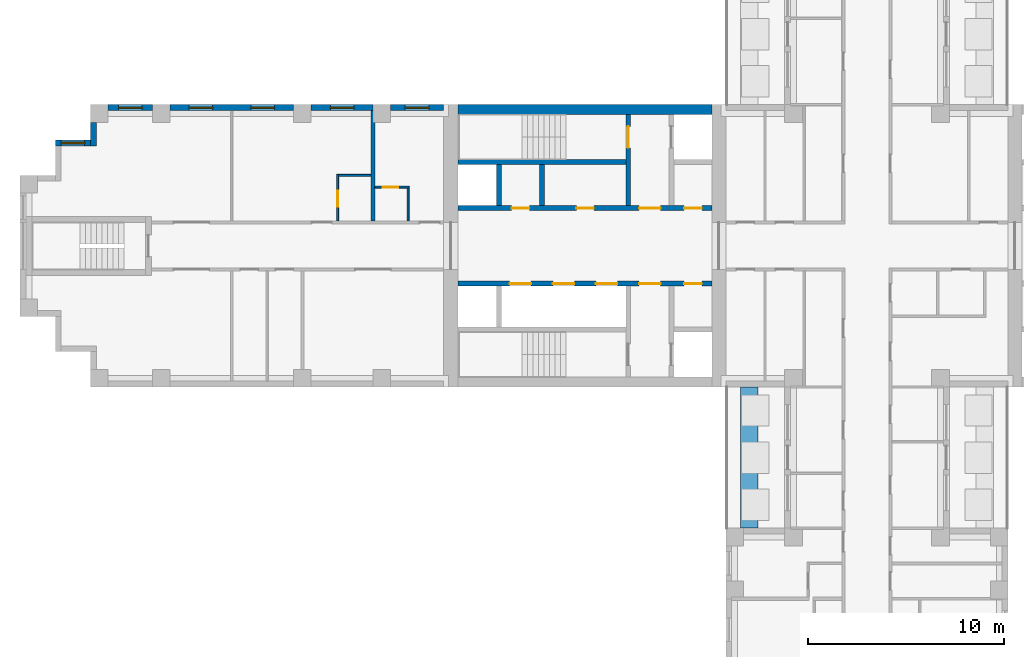
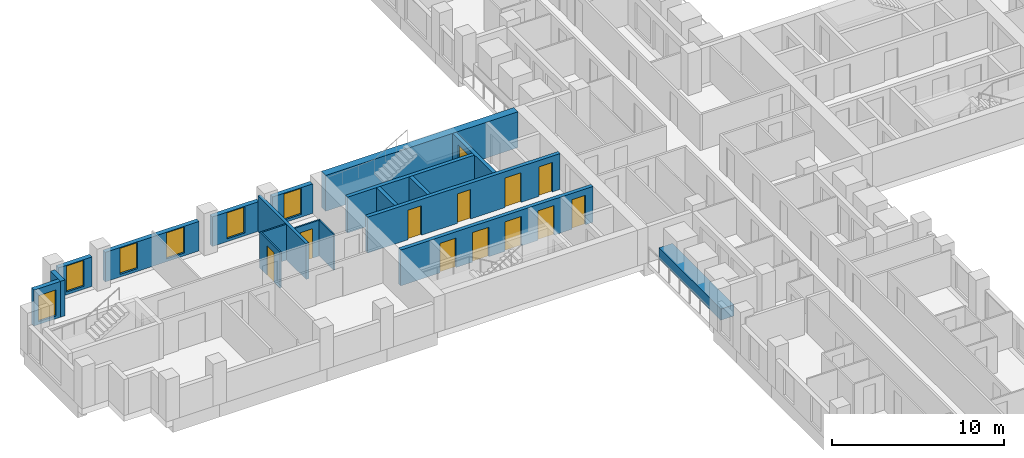
# One storey, part 6 of 15: 19 walls, 12 doors, 6 windows, 18 openings.
"""IFC4 building model written with IfcOpenShell, lengths in metres."""

import ifcopenshell
import ifcopenshell.guid

model = None  # the IFC model being written
_history = None  # IfcOwnerHistory: only IFC2X3 demands one
_inside = {}  # id of a spatial element -> (the spatial element, [elements in it])
_under = {}  # id of a project, library or spatial element -> (it, [spatial elements below it])
_declared = {}  # id of a project -> (the project, [libraries it declares])
_typed = {}  # id of a type object -> (the type object, [elements of that type])
_made_of = {}  # id of a material, layer set ... -> (it, [elements and type objects made of it])


def new_model(schema):
    """Start an empty IFC model of exactly this schema.

    Asked for "IFC4X3", IfcOpenShell would pick the latest addendum, in which some entities
    have other attributes; the version numbers below select the first issue.
    IFC2X3 requires an IfcOwnerHistory on every rooted entity: one is made here for all.
    """
    global model, _history
    if schema == "IFC4X3":
        model = ifcopenshell.file(schema_version=(4, 3, 0, 0))
    else:
        model = ifcopenshell.file(schema=schema)
    _inside.clear()
    _under.clear()
    _declared.clear()
    _typed.clear()
    _made_of.clear()
    _history = None
    if model.schema == "IFC2X3":
        org = make("IfcOrganization", Name="unknown")
        user = make(
            "IfcPersonAndOrganization",
            ThePerson=make("IfcPerson", FamilyName="unknown"),
            TheOrganization=org,
        )
        app = make(
            "IfcApplication",
            ApplicationDeveloper=org,
            Version="unknown",
            ApplicationFullName="unknown",
            ApplicationIdentifier="unknown",
        )
        _history = make(
            "IfcOwnerHistory",
            OwningUser=user,
            OwningApplication=app,
            ChangeAction="ADDED",
            CreationDate=0,
        )
    return model


def make(cls, **values):
    """One entity of the class cls with the attributes given. An attribute that is None is left unset."""
    return model.create_entity(
        cls, **{name: value for name, value in values.items() if value is not None}
    )


def rooted(cls, **values):
    """An entity with a GlobalId (a new one), such as an element, a storey or a relation."""
    return make(cls, GlobalId=ifcopenshell.guid.new(), OwnerHistory=_history, **values)


def si_unit(unit_type, name, prefix=None):
    """IfcSIUnit, for example si_unit("LENGTHUNIT", "METRE", prefix="MILLI")."""
    return make("IfcSIUnit", UnitType=unit_type, Prefix=prefix, Name=name)


def assignment(units):
    """IfcUnitAssignment: the units of a project."""
    return None if units is None else make("IfcUnitAssignment", Units=units)


def point(xyz):
    """IfcCartesianPoint."""
    return None if xyz is None else make("IfcCartesianPoint", Coordinates=xyz)


def direction(xyz):
    """IfcDirection."""
    return None if xyz is None else make("IfcDirection", DirectionRatios=xyz)


def frame(location, z_axis=None, x_axis=None):
    """IfcAxis2Placement3D, a coordinate frame: its origin and axes. An axis left out is left unset."""
    return make(
        "IfcAxis2Placement3D",
        Location=point(location),
        Axis=direction(z_axis),
        RefDirection=direction(x_axis),
    )


def frame_2d(location, x_axis=None):
    """IfcAxis2Placement2D, a coordinate frame in the plane: its origin and x axis."""
    return make(
        "IfcAxis2Placement2D", Location=point(location), RefDirection=direction(x_axis)
    )


def origin():
    """The frame at (0, 0, 0) with its axes left unset."""
    return frame((0.0, 0.0, 0.0))


def place(relative_to, where):
    """IfcLocalPlacement: puts the frame where relative to a parent placement (None: the world)."""
    return make(
        "IfcLocalPlacement", PlacementRelTo=relative_to, RelativePlacement=where
    )


def context(
    kind, dimensions, precision=None, world=None, true_north=None, identifier=None
):
    """IfcGeometricRepresentationContext, for example the 3D "Model" context."""
    return make(
        "IfcGeometricRepresentationContext",
        ContextIdentifier=identifier,
        ContextType=kind,
        CoordinateSpaceDimension=dimensions,
        Precision=precision,
        WorldCoordinateSystem=world,
        TrueNorth=true_north,
    )


def subcontext(parent, identifier, kind, view, scale=None):
    """IfcGeometricRepresentationSubContext, for example "Body" below "Model"."""
    return make(
        "IfcGeometricRepresentationSubContext",
        ContextIdentifier=identifier,
        ContextType=kind,
        ParentContext=parent,
        TargetScale=scale,
        TargetView=view,
    )


def project(units=None, contexts=None):
    """IfcProject with its units and contexts."""
    return rooted(
        "IfcProject",
        Name="project",
        RepresentationContexts=contexts,
        UnitsInContext=assignment(units),
    )


def spatial(cls, under=None, at=None, **own):
    """A site, building, storey or space (cls), placed at a placement, below another one or the project."""
    s = rooted(cls, ObjectPlacement=at, **own)
    if under is not None:
        _under.setdefault(under.id(), (under, []))[1].append(s)
    return s


def profile(cls, at=None, kind="AREA", **sizes):
    """A parametric profile (cls). Its sizes go by their IFC names, for example OverallWidth=200.0."""
    return make(cls, ProfileType=kind, Position=at, **sizes)


def rectangle(**sizes):
    """IfcRectangleProfileDef."""
    return profile("IfcRectangleProfileDef", **sizes)


def extrude(swept, where, along, depth):
    """IfcExtrudedAreaSolid: the profile swept, set in the frame where, extruded along a direction by depth."""
    return make(
        "IfcExtrudedAreaSolid",
        SweptArea=swept,
        Position=where,
        ExtrudedDirection=direction(along),
        Depth=depth,
    )


def shape(context_of_items, identifier, shape_type, items):
    """IfcShapeRepresentation: the items that make up one representation, for example the "Body"."""
    return make(
        "IfcShapeRepresentation",
        ContextOfItems=context_of_items,
        RepresentationIdentifier=identifier,
        RepresentationType=shape_type,
        Items=items,
    )


def material(Name=None, Category=None):
    """IfcMaterial."""
    return make("IfcMaterial", Name=Name, Category=Category)


def layer(
    of_material, thickness, ventilated=None, Name=None, Category=None, Priority=None
):
    """IfcMaterialLayer: one layer of a wall or slab, of a material (None: an air gap)."""
    return make(
        "IfcMaterialLayer",
        Material=of_material,
        LayerThickness=thickness,
        IsVentilated=ventilated,
        Name=Name,
        Category=Category,
        Priority=Priority,
    )


def layer_set(layers, Name=None):
    """IfcMaterialLayerSet."""
    return make("IfcMaterialLayerSet", MaterialLayers=layers, LayerSetName=Name)


def made_of(thing, what):
    """Note that an element or type object is made of a material, layer set ...; save() writes the relation."""
    if what is not None:
        _made_of.setdefault(what.id(), (what, []))[1].append(thing)
    return thing


def type_object(cls, material=None, **own):
    """A type object (cls), such as IfcWallType, which elements share."""
    return made_of(rooted(cls, **own), material)


def element(
    cls,
    number,
    at=None,
    inside=None,
    cuts=None,
    type_object=None,
    material=None,
    context=None,
    identifier="Body",
    shape_type=None,
    held_by="IfcProductDefinitionShape",
    body=None,
    shapes=None,
    **own,
):
    """One element of the class cls, such as IfcWall. Its Tag is "e" and its number.

    at: its placement. inside: the storey or other place that contains it. cuts: it is an
    opening in that element (IfcRelVoidsElement). A single representation is given by context,
    identifier, shape_type and body (its items); several are given by shapes. held_by: the class
    of the entity that holds the representations. save() writes the other relations.
    """
    e = rooted(cls, Tag="e%d" % number, ObjectPlacement=at, **own)
    if body is not None:
        shapes = [shape(context, identifier, shape_type, body)]
    if shapes is not None:
        e.Representation = make(held_by, Representations=shapes)
    if inside is not None:
        _inside.setdefault(inside.id(), (inside, []))[1].append(e)
    if cuts is not None:
        rooted(
            "IfcRelVoidsElement", RelatingBuildingElement=cuts, RelatedOpeningElement=e
        )
    if type_object is not None:
        _typed.setdefault(type_object.id(), (type_object, []))[1].append(e)
    return made_of(e, material)


def fill(opening, filler):
    """IfcRelFillsElement: the door or window that sits in an opening."""
    return rooted(
        "IfcRelFillsElement",
        RelatingOpeningElement=opening,
        RelatedBuildingElement=filler,
    )


def aggregate(whole, parts):
    """IfcRelAggregates: a whole, such as a stair, and the parts it consists of."""
    return rooted("IfcRelAggregates", RelatingObject=whole, RelatedObjects=parts)


def save(model, path):
    """Write the relations noted so far, then the file.

    IfcRelAggregates (storeys below a building ...), IfcRelContainedInSpatialStructure (elements
    in a storey), IfcRelDefinesByType, IfcRelAssociatesMaterial and IfcRelDeclares: one each for
    every whole, place, type object, material and project.
    """
    for whole, parts in _under.values():
        aggregate(whole, parts)
    for where, things in _inside.values():
        rooted(
            "IfcRelContainedInSpatialStructure",
            RelatedElements=things,
            RelatingStructure=where,
        )
    for kind, things in _typed.values():
        rooted("IfcRelDefinesByType", RelatedObjects=things, RelatingType=kind)
    for what, things in _made_of.values():
        rooted("IfcRelAssociatesMaterial", RelatedObjects=things, RelatingMaterial=what)
    for by, libraries in _declared.values():
        rooted("IfcRelDeclares", RelatingContext=by, RelatedDefinitions=libraries)
    model.write(path)


model = new_model("IFC4")

# Units and contexts
model_context = context("Model", 3, precision=1e-05, world=origin(), true_north=direction((0.0, 1.0)))
body_context = subcontext(model_context, "Body", "Model", "MODEL_VIEW")
ifc_project = project(units=[si_unit("LENGTHUNIT", "METRE"), si_unit("AREAUNIT", "SQUARE_METRE"), si_unit("VOLUMEUNIT", "CUBIC_METRE"), si_unit("PLANEANGLEUNIT", "RADIAN"), si_unit("MASSUNIT", "GRAM", prefix="KILO")], contexts=[model_context])

# Site, building, storey
site_placement = place(None, origin())
site = spatial("IfcSite", under=ifc_project, at=site_placement, CompositionType="ELEMENT")
building_placement = place(site_placement, origin())
building = spatial("IfcBuilding", under=site, at=building_placement, Name="Fustian Cross Tower", CompositionType="ELEMENT")
storey_placement = place(building_placement, frame((0.0, 0.0, 59.699951171875)))
storey = spatial("IfcBuildingStorey", under=building, at=storey_placement, Name="L18", CompositionType="ELEMENT", Elevation=59.699951171875)

# Wall
ifc_material_1 = material(Name="Concrete C80/95", Category="concrete")
ifc_layer_1 = layer(ifc_material_1, 0.5)
ifc_layer_set_1 = layer_set([ifc_layer_1], Name="Concrete C80/95")
wall_type_1 = type_object("IfcWallType", Name="CORE FACADE WALL 500 C80/95", PredefinedType="SHEAR", material=ifc_layer_set_1)
wall_1_placement = place(storey_placement, frame((-7.89990234375, 6.949951171875, 0.0), z_axis=(0.0, 0.0, 1.0), x_axis=(-1.0, 0.0, 0.0)))
element("IfcWall", 1, at=wall_1_placement, inside=storey, type_object=wall_type_1, Name="Core facade wall", PredefinedType="SHEAR", context=body_context, shape_type="SweptSolid", body=[
    extrude(rectangle(XDim=12.9501953125, YDim=0.5, at=frame_2d((6.47509765625, 0.0))), origin(), (0.0, 0.0, 1.0), 2.550048828125),
])

# Wall, openings, doors
ifc_material_2 = material(Name="Concrete C50/60", Category="concrete")
ifc_layer_2 = layer(ifc_material_2, 0.25)
ifc_layer_set_2 = layer_set([ifc_layer_2], Name="Concrete C50/60")
wall_type_2 = type_object("IfcWallType", Name="CORE LOBBY WALL 250 C50/60", PredefinedType="SHEAR", material=ifc_layer_set_2)
wall_2_placement = place(storey_placement, frame((-7.89990234375, 1.925048828125, 0.0), z_axis=(0.0, 0.0, 1.0), x_axis=(-1.0, 0.0, 0.0)))
wall_2 = element("IfcWall", 2, at=wall_2_placement, inside=storey, type_object=wall_type_2, Name="Core lobby wall", PredefinedType="SHEAR", context=body_context, shape_type="SweptSolid", body=[
    extrude(rectangle(XDim=12.9501953125, YDim=0.25, at=frame_2d((6.47509765625, 0.0))), origin(), (0.0, 0.0, 1.0), 2.550048828125),
])
opening_1_placement = place(wall_2_placement, frame((0.52490234375, 0.0, 0.0)))
opening_1 = element("IfcOpeningElement", 3, at=opening_1_placement, cuts=wall_2, Name="Opening CD-07-23", PredefinedType="OPENING", context=body_context, shape_type="SweptSolid", body=[
    extrude(rectangle(XDim=0.89990234375, YDim=2.10009765625, at=frame_2d((0.449951171875, 1.050048828125))), frame((0.0, 0.135009765625, 0.0), z_axis=(0.0, -1.0, 0.0), x_axis=(1.0, 0.0, 0.0)), (0.0, 0.0, 1.0), 0.27001953125),
])
opening_2_placement = place(wall_2_placement, frame((2.625, 0.0, 0.0)))
opening_2 = element("IfcOpeningElement", 4, at=opening_2_placement, cuts=wall_2, Name="Opening CD-07-25", PredefinedType="OPENING", context=body_context, shape_type="SweptSolid", body=[
    extrude(rectangle(XDim=1.10009765625, YDim=2.10009765625, at=frame_2d((0.550048828125, 1.050048828125))), frame((0.0, 0.135009765625, 0.0), z_axis=(0.0, -1.0, 0.0), x_axis=(1.0, 0.0, 0.0)), (0.0, 0.0, 1.0), 0.27001953125),
])
opening_3_placement = place(wall_2_placement, frame((6.02490234375, 0.0, 0.0)))
opening_3 = element("IfcOpeningElement", 5, at=opening_3_placement, cuts=wall_2, Name="Opening CD-07-29", PredefinedType="OPENING", context=body_context, shape_type="SweptSolid", body=[
    extrude(rectangle(XDim=0.89990234375, YDim=2.10009765625, at=frame_2d((0.449951171875, 1.050048828125))), frame((0.0, 0.135009765625, 0.0), z_axis=(0.0, -1.0, 0.0), x_axis=(1.0, 0.0, 0.0)), (0.0, 0.0, 1.0), 0.27001953125),
])
opening_4_placement = place(wall_2_placement, frame((9.324951171875, 0.0, 0.0)))
opening_4 = element("IfcOpeningElement", 6, at=opening_4_placement, cuts=wall_2, Name="Opening CD-07-30", PredefinedType="OPENING", context=body_context, shape_type="SweptSolid", body=[
    extrude(rectangle(XDim=0.89990234375, YDim=2.10009765625, at=frame_2d((0.449951171875, 1.050048828125))), frame((0.0, 0.135009765625, 0.0), z_axis=(0.0, -1.0, 0.0), x_axis=(1.0, 0.0, 0.0)), (0.0, 0.0, 1.0), 0.27001953125),
])
ifc_material_3 = material(Name="Steel", Category="steel")
door_type_1 = type_object("IfcDoorType", Name="FIRE DOOR FD30S 900X2100", OperationType="SINGLE_SWING_LEFT", PredefinedType="DOOR", material=ifc_material_3)
door_1_placement = place(opening_3_placement, frame((0.89990234375, 0.0, 0.0), z_axis=(0.0, 0.0, 1.0), x_axis=(-1.0, 0.0, 0.0)))
door_1 = element("IfcDoor", 7, at=door_1_placement, inside=storey, type_object=door_type_1, Name="Core door CD-07-29", OperationType="SINGLE_SWING_LEFT", OverallHeight=2.10009765625, OverallWidth=0.89990234375, PredefinedType="DOOR", context=body_context, shape_type="SweptSolid", body=[
    extrude(rectangle(XDim=0.89990234375, YDim=2.10009765625, at=frame_2d((0.449951171875, 1.050048828125))), frame((0.0, 0.02490234375, 0.0), z_axis=(0.0, -1.0, 0.0), x_axis=(1.0, 0.0, 0.0)), (0.0, 0.0, 1.0), 0.050048828125),
])
fill(opening_3, door_1)
door_2_placement = place(opening_4_placement, frame((0.89990234375, 0.0, 0.0), z_axis=(0.0, 0.0, 1.0), x_axis=(-1.0, 0.0, 0.0)))
door_2 = element("IfcDoor", 8, at=door_2_placement, inside=storey, type_object=door_type_1, Name="Core door CD-07-30", OperationType="SINGLE_SWING_RIGHT", OverallHeight=2.10009765625, OverallWidth=0.89990234375, PredefinedType="DOOR", context=body_context, shape_type="SweptSolid", body=[
    extrude(rectangle(XDim=0.89990234375, YDim=2.10009765625, at=frame_2d((0.449951171875, 1.050048828125))), frame((0.0, 0.02490234375, 0.0), z_axis=(0.0, -1.0, 0.0), x_axis=(1.0, 0.0, 0.0)), (0.0, 0.0, 1.0), 0.050048828125),
])
fill(opening_4, door_2)
ifc_material_4 = material(Name="Steel", Category="steel")
door_type_2 = type_object("IfcDoorType", Name="FIRE DOOR FD60S 1100X2100", OperationType="SINGLE_SWING_LEFT", PredefinedType="DOOR", material=ifc_material_4)
door_3_placement = place(opening_2_placement, frame((1.10009765625, 0.0, 0.0), z_axis=(0.0, 0.0, 1.0), x_axis=(-1.0, 0.0, 0.0)))
door_3 = element("IfcDoor", 9, at=door_3_placement, inside=storey, type_object=door_type_2, Name="Core door CD-07-25", OperationType="SINGLE_SWING_RIGHT", OverallHeight=2.10009765625, OverallWidth=1.10009765625, PredefinedType="DOOR", context=body_context, shape_type="SweptSolid", body=[
    extrude(rectangle(XDim=1.10009765625, YDim=2.10009765625, at=frame_2d((0.550048828125, 1.050048828125))), frame((0.0, 0.02490234375, 0.0), z_axis=(0.0, -1.0, 0.0), x_axis=(1.0, 0.0, 0.0)), (0.0, 0.0, 1.0), 0.050048828125),
])
fill(opening_2, door_3)
ifc_material_5 = material(Name="Steel", Category="steel")
door_type_3 = type_object("IfcDoorType", Name="FIRE DOOR FD60S 900X2100", OperationType="SINGLE_SWING_LEFT", PredefinedType="DOOR", material=ifc_material_5)
door_4_placement = place(opening_1_placement, frame((0.89990234375, 0.0, 0.0), z_axis=(0.0, 0.0, 1.0), x_axis=(-1.0, 0.0, 0.0)))
door_4 = element("IfcDoor", 10, at=door_4_placement, inside=storey, type_object=door_type_3, Name="Core door CD-07-23", OperationType="SINGLE_SWING_RIGHT", OverallHeight=2.10009765625, OverallWidth=0.89990234375, PredefinedType="DOOR", context=body_context, shape_type="SweptSolid", body=[
    extrude(rectangle(XDim=0.89990234375, YDim=2.10009765625, at=frame_2d((0.449951171875, 1.050048828125))), frame((0.0, 0.02490234375, 0.0), z_axis=(0.0, -1.0, 0.0), x_axis=(1.0, 0.0, 0.0)), (0.0, 0.0, 1.0), 0.050048828125),
])
fill(opening_1, door_4)

wall_3_placement = place(storey_placement, frame((-7.89990234375, -1.925048828125, 0.0), z_axis=(0.0, 0.0, 1.0), x_axis=(-1.0, 0.0, 0.0)))
wall_3 = element("IfcWall", 11, at=wall_3_placement, inside=storey, type_object=wall_type_2, Name="Core lobby wall", PredefinedType="SHEAR", context=body_context, shape_type="SweptSolid", body=[
    extrude(rectangle(XDim=12.9501953125, YDim=0.25, at=frame_2d((6.47509765625, 0.0))), origin(), (0.0, 0.0, 1.0), 2.550048828125),
])
opening_5_placement = place(wall_3_placement, frame((4.824951171875, 0.0, 0.0)))
opening_5 = element("IfcOpeningElement", 12, at=opening_5_placement, cuts=wall_3, Name="Opening LD", PredefinedType="OPENING", context=body_context, shape_type="SweptSolid", body=[
    extrude(rectangle(XDim=1.10009765625, YDim=2.10009765625, at=frame_2d((0.550048828125, 1.050048828125))), frame((0.0, 0.135009765625, 0.0), z_axis=(0.0, -1.0, 0.0), x_axis=(1.0, 0.0, 0.0)), (0.0, 0.0, 1.0), 0.27001953125),
])
opening_6_placement = place(wall_3_placement, frame((7.02490234375, 0.0, 0.0)))
opening_6 = element("IfcOpeningElement", 13, at=opening_6_placement, cuts=wall_3, Name="Opening LD", PredefinedType="OPENING", context=body_context, shape_type="SweptSolid", body=[
    extrude(rectangle(XDim=1.10009765625, YDim=2.10009765625, at=frame_2d((0.550048828125, 1.050048828125))), frame((0.0, 0.135009765625, 0.0), z_axis=(0.0, -1.0, 0.0), x_axis=(1.0, 0.0, 0.0)), (0.0, 0.0, 1.0), 0.27001953125),
])
opening_7_placement = place(wall_3_placement, frame((9.22509765625, 0.0, 0.0)))
opening_7 = element("IfcOpeningElement", 14, at=opening_7_placement, cuts=wall_3, Name="Opening LD", PredefinedType="OPENING", context=body_context, shape_type="SweptSolid", body=[
    extrude(rectangle(XDim=1.10009765625, YDim=2.10009765625, at=frame_2d((0.550048828125, 1.050048828125))), frame((0.0, 0.135009765625, 0.0), z_axis=(0.0, -1.0, 0.0), x_axis=(1.0, 0.0, 0.0)), (0.0, 0.0, 1.0), 0.27001953125),
])
opening_8_placement = place(wall_3_placement, frame((0.52490234375, 0.0, 0.0)))
opening_8 = element("IfcOpeningElement", 15, at=opening_8_placement, cuts=wall_3, Name="Opening CD-07-24", PredefinedType="OPENING", context=body_context, shape_type="SweptSolid", body=[
    extrude(rectangle(XDim=0.89990234375, YDim=2.10009765625, at=frame_2d((0.449951171875, 1.050048828125))), frame((0.0, 0.135009765625, 0.0), z_axis=(0.0, -1.0, 0.0), x_axis=(1.0, 0.0, 0.0)), (0.0, 0.0, 1.0), 0.27001953125),
])
opening_9_placement = place(wall_3_placement, frame((2.625, 0.0, 0.0)))
opening_9 = element("IfcOpeningElement", 16, at=opening_9_placement, cuts=wall_3, Name="Opening CD-07-26", PredefinedType="OPENING", context=body_context, shape_type="SweptSolid", body=[
    extrude(rectangle(XDim=1.10009765625, YDim=2.10009765625, at=frame_2d((0.550048828125, 1.050048828125))), frame((0.0, 0.135009765625, 0.0), z_axis=(0.0, -1.0, 0.0), x_axis=(1.0, 0.0, 0.0)), (0.0, 0.0, 1.0), 0.27001953125),
])
ifc_material_6 = material(Name="Steel", Category="steel")
door_type_4 = type_object("IfcDoorType", Name="FIRE DOOR FD30S 1100X2100", OperationType="SINGLE_SWING_LEFT", PredefinedType="DOOR", material=ifc_material_6)
door_5_placement = place(opening_9_placement, frame((1.10009765625, 0.0, 0.0), z_axis=(0.0, 0.0, 1.0), x_axis=(-1.0, 0.0, 0.0)))
door_5 = element("IfcDoor", 17, at=door_5_placement, inside=storey, type_object=door_type_4, Name="Core door CD-07-26", OperationType="SINGLE_SWING_RIGHT", OverallHeight=2.10009765625, OverallWidth=1.10009765625, PredefinedType="DOOR", context=body_context, shape_type="SweptSolid", body=[
    extrude(rectangle(XDim=1.10009765625, YDim=2.10009765625, at=frame_2d((0.550048828125, 1.050048828125))), frame((0.0, 0.02490234375, 0.0), z_axis=(0.0, -1.0, 0.0), x_axis=(1.0, 0.0, 0.0)), (0.0, 0.0, 1.0), 0.050048828125),
])
fill(opening_9, door_5)
door_6_placement = place(opening_8_placement, origin())
door_6 = element("IfcDoor", 18, at=door_6_placement, inside=storey, type_object=door_type_1, Name="Core door CD-07-24", OperationType="SINGLE_SWING_LEFT", OverallHeight=2.10009765625, OverallWidth=0.89990234375, PredefinedType="DOOR", context=body_context, shape_type="SweptSolid", body=[
    extrude(rectangle(XDim=0.89990234375, YDim=2.10009765625, at=frame_2d((0.449951171875, 1.050048828125))), frame((0.0, 0.02490234375, 0.0), z_axis=(0.0, -1.0, 0.0), x_axis=(1.0, 0.0, 0.0)), (0.0, 0.0, 1.0), 0.050048828125),
])
fill(opening_8, door_6)
ifc_material_7 = material(Name="Stainless steel", Category="steel")
door_type_5 = type_object("IfcDoorType", Name="LIFT LANDING DOOR 1100X2100", OperationType="SLIDING_TO_LEFT", PredefinedType="DOOR", material=ifc_material_7)
door_7_placement = place(opening_5_placement, origin())
door_7 = element("IfcDoor", 19, at=door_7_placement, inside=storey, type_object=door_type_5, Name="Landing door LR1W", OperationType="SLIDING_TO_LEFT", OverallHeight=2.10009765625, OverallWidth=1.10009765625, PredefinedType="DOOR", context=body_context, shape_type="SweptSolid", body=[
    extrude(rectangle(XDim=1.10009765625, YDim=2.10009765625, at=frame_2d((0.550048828125, 1.050048828125))), frame((0.0, 0.02490234375, 0.0), z_axis=(0.0, -1.0, 0.0), x_axis=(1.0, 0.0, 0.0)), (0.0, 0.0, 1.0), 0.050048828125),
])
fill(opening_5, door_7)
door_8_placement = place(opening_6_placement, origin())
door_8 = element("IfcDoor", 20, at=door_8_placement, inside=storey, type_object=door_type_5, Name="Landing door LR2W", OperationType="SLIDING_TO_LEFT", OverallHeight=2.10009765625, OverallWidth=1.10009765625, PredefinedType="DOOR", context=body_context, shape_type="SweptSolid", body=[
    extrude(rectangle(XDim=1.10009765625, YDim=2.10009765625, at=frame_2d((0.550048828125, 1.050048828125))), frame((0.0, 0.02490234375, 0.0), z_axis=(0.0, -1.0, 0.0), x_axis=(1.0, 0.0, 0.0)), (0.0, 0.0, 1.0), 0.050048828125),
])
fill(opening_6, door_8)
door_9_placement = place(opening_7_placement, origin())
door_9 = element("IfcDoor", 21, at=door_9_placement, inside=storey, type_object=door_type_5, Name="Landing door LR3W", OperationType="SLIDING_TO_LEFT", OverallHeight=2.10009765625, OverallWidth=1.10009765625, PredefinedType="DOOR", context=body_context, shape_type="SweptSolid", body=[
    extrude(rectangle(XDim=1.10009765625, YDim=2.10009765625, at=frame_2d((0.550048828125, 1.050048828125))), frame((0.0, 0.02490234375, 0.0), z_axis=(0.0, -1.0, 0.0), x_axis=(1.0, 0.0, 0.0)), (0.0, 0.0, 1.0), 0.050048828125),
])
fill(opening_7, door_9)

# Wall
ifc_material_8 = material(Name="Concrete C50/60", Category="concrete")
ifc_layer_3 = layer(ifc_material_8, 0.25)
ifc_layer_set_3 = layer_set([ifc_layer_3], Name="Concrete C50/60")
wall_type_3 = type_object("IfcWallType", Name="CORE SHAFT WALL 250 C50/60", PredefinedType="SHEAR", material=ifc_layer_set_3)
wall_4_placement = place(storey_placement, frame((-12.300048828125, 4.27490234375, 0.0), z_axis=(0.0, 0.0, 1.0), x_axis=(-1.0, 0.0, 0.0)))
element("IfcWall", 22, at=wall_4_placement, inside=storey, type_object=wall_type_3, Name="Core shaft wall", PredefinedType="SHEAR", context=body_context, shape_type="SweptSolid", body=[
    extrude(rectangle(XDim=8.550048828125, YDim=0.25, at=frame_2d((4.27490234375, 0.0))), origin(), (0.0, 0.0, 1.0), 2.550048828125),
])

# Wall, opening, door
wall_5_placement = place(storey_placement, frame((-12.175048828125, 2.050048828125, 0.0), z_axis=(0.0, 0.0, 1.0), x_axis=(0.0, 1.0, 0.0)))
wall_5 = element("IfcWall", 23, at=wall_5_placement, inside=storey, type_object=wall_type_3, Name="Core shaft wall", PredefinedType="SHEAR", context=body_context, shape_type="SweptSolid", body=[
    extrude(rectangle(XDim=4.64990234375, YDim=0.25, at=frame_2d((2.324951171875, 0.0))), origin(), (0.0, 0.0, 1.0), 2.550048828125),
])
opening_10_placement = place(wall_5_placement, frame((2.949951171875, 0.0, 0.0)))
opening_10 = element("IfcOpeningElement", 24, at=opening_10_placement, cuts=wall_5, Name="Opening CD-07-21", PredefinedType="OPENING", context=body_context, shape_type="SweptSolid", body=[
    extrude(rectangle(XDim=1.10009765625, YDim=2.10009765625, at=frame_2d((0.550048828125, 1.050048828125))), frame((0.0, 0.135009765625, 0.0), z_axis=(0.0, -1.0, 0.0), x_axis=(1.0, 0.0, 0.0)), (0.0, 0.0, 1.0), 0.27001953125),
])
door_10_placement = place(opening_10_placement, origin())
door_10 = element("IfcDoor", 25, at=door_10_placement, inside=storey, type_object=door_type_2, Name="Core door CD-07-21", OperationType="SINGLE_SWING_LEFT", OverallHeight=2.10009765625, OverallWidth=1.10009765625, PredefinedType="DOOR", context=body_context, shape_type="SweptSolid", body=[
    extrude(rectangle(XDim=1.10009765625, YDim=2.10009765625, at=frame_2d((0.550048828125, 1.050048828125))), frame((0.0, 0.02490234375, 0.0), z_axis=(0.0, -1.0, 0.0), x_axis=(1.0, 0.0, 0.0)), (0.0, 0.0, 1.0), 0.050048828125),
])
fill(opening_10, door_10)

ifc_material_9 = material(Name="Plasterboard on steel stud", Category="steel")
ifc_layer_4 = layer(ifc_material_9, 0.10009765625)
ifc_layer_set_4 = layer_set([ifc_layer_4], Name="Plasterboard on steel stud")
wall_type_4 = type_object("IfcWallType", Name="PARTITION 100 STUD", PredefinedType="PARTITIONING", material=ifc_layer_set_4)
wall_6_placement = place(storey_placement, frame((-27.0, 1.27490234375, 0.0), z_axis=(0.0, 0.0, 1.0), x_axis=(0.0, 1.0, 0.0)))
wall_6 = element("IfcWall", 26, at=wall_6_placement, inside=storey, type_object=wall_type_4, Name="Partition 7", PredefinedType="PARTITIONING", context=body_context, shape_type="SweptSolid", body=[
    extrude(rectangle(XDim=2.375, YDim=0.10009765625, at=frame_2d((1.1875, 0.0))), origin(), (0.0, 0.0, 1.0), 2.550048828125),
])
opening_11_placement = place(wall_6_placement, frame((0.72509765625, 0.0, 0.0)))
opening_11 = element("IfcOpeningElement", 27, at=opening_11_placement, cuts=wall_6, Name="Opening D09050", PredefinedType="OPENING", context=body_context, shape_type="SweptSolid", body=[
    extrude(rectangle(XDim=0.800048828125, YDim=2.10009765625, at=frame_2d((0.39990234375, 1.050048828125))), frame((0.0, 0.06005859375, 0.0), z_axis=(0.0, -1.0, 0.0), x_axis=(1.0, 0.0, 0.0)), (0.0, 0.0, 1.0), 0.1201171875),
])
ifc_material_10 = material(Name="Painted timber", Category="wood")
door_type_6 = type_object("IfcDoorType", Name="SWING DOOR 800", OperationType="SINGLE_SWING_LEFT", PredefinedType="DOOR", material=ifc_material_10)
door_11_placement = place(opening_11_placement, frame((0.800048828125, 0.0, 0.0), z_axis=(0.0, 0.0, 1.0), x_axis=(-1.0, 0.0, 0.0)))
door_11 = element("IfcDoor", 28, at=door_11_placement, inside=storey, type_object=door_type_6, Name="Door D09050", OperationType="SINGLE_SWING_RIGHT", OverallHeight=2.10009765625, OverallWidth=0.800048828125, PredefinedType="DOOR", context=body_context, shape_type="SweptSolid", body=[
    extrude(rectangle(XDim=0.800048828125, YDim=2.10009765625, at=frame_2d((0.39990234375, 1.050048828125))), frame((0.0, 0.02490234375, 0.0), z_axis=(0.0, -1.0, 0.0), x_axis=(1.0, 0.0, 0.0)), (0.0, 0.0, 1.0), 0.050048828125),
])
fill(opening_11, door_11)

# Wall
wall_7_placement = place(storey_placement, frame((-26.949951171875, 3.60009765625, 0.0), z_axis=(0.0, 0.0, 1.0), x_axis=(1.0, 0.0, 0.0)))
element("IfcWall", 29, at=wall_7_placement, inside=storey, type_object=wall_type_4, Name="Partition 8", PredefinedType="PARTITIONING", context=body_context, shape_type="SweptSolid", body=[
    extrude(rectangle(XDim=1.64990234375, YDim=0.10009765625, at=frame_2d((0.824951171875, 0.0))), origin(), (0.0, 0.0, 1.0), 2.550048828125),
])

# Wall, opening, door
wall_8_placement = place(storey_placement, frame((-25.10009765625, 3.0, 0.0), z_axis=(0.0, 0.0, 1.0), x_axis=(1.0, 0.0, 0.0)))
wall_8 = element("IfcWall", 30, at=wall_8_placement, inside=storey, type_object=wall_type_4, Name="Partition 10", PredefinedType="PARTITIONING", context=body_context, shape_type="SweptSolid", body=[
    extrude(rectangle(XDim=1.75, YDim=0.10009765625, at=frame_2d((0.875, 0.0))), origin(), (0.0, 0.0, 1.0), 2.550048828125),
])
opening_12_placement = place(wall_8_placement, frame((0.39990234375, 0.0, 0.0)))
opening_12 = element("IfcOpeningElement", 31, at=opening_12_placement, cuts=wall_8, Name="Opening D09048", PredefinedType="OPENING", context=body_context, shape_type="SweptSolid", body=[
    extrude(rectangle(XDim=0.800048828125, YDim=2.10009765625, at=frame_2d((0.39990234375, 1.050048828125))), frame((0.0, 0.06005859375, 0.0), z_axis=(0.0, -1.0, 0.0), x_axis=(1.0, 0.0, 0.0)), (0.0, 0.0, 1.0), 0.1201171875),
])
door_12_placement = place(opening_12_placement, frame((0.800048828125, 0.0, 0.0), z_axis=(0.0, 0.0, 1.0), x_axis=(-1.0, 0.0, 0.0)))
door_12 = element("IfcDoor", 32, at=door_12_placement, inside=storey, type_object=door_type_6, Name="Door D09048", OperationType="SINGLE_SWING_LEFT", OverallHeight=2.10009765625, OverallWidth=0.800048828125, PredefinedType="DOOR", context=body_context, shape_type="SweptSolid", body=[
    extrude(rectangle(XDim=0.800048828125, YDim=2.10009765625, at=frame_2d((0.39990234375, 1.050048828125))), frame((0.0, 0.02490234375, 0.0), z_axis=(0.0, -1.0, 0.0), x_axis=(1.0, 0.0, 0.0)), (0.0, 0.0, 1.0), 0.050048828125),
])
fill(opening_12, door_12)

# Walls
wall_9_placement = place(storey_placement, frame((-23.39990234375, 1.27490234375, 0.0), z_axis=(0.0, 0.0, 1.0), x_axis=(0.0, 1.0, 0.0)))
element("IfcWall", 33, at=wall_9_placement, inside=storey, type_object=wall_type_4, Name="Partition 11", PredefinedType="PARTITIONING", context=body_context, shape_type="SweptSolid", body=[
    extrude(rectangle(XDim=1.675048828125, YDim=0.10009765625, at=frame_2d((0.83740234375, 0.0))), origin(), (0.0, 0.0, 1.0), 2.550048828125),
])
ifc_material_11 = material(Name="Plasterboard on steel stud", Category="steel")
ifc_layer_5 = layer(ifc_material_11, 0.199951171875)
ifc_layer_set_5 = layer_set([ifc_layer_5], Name="Plasterboard on steel stud")
wall_type_5 = type_object("IfcWallType", Name="PARTY WALL 200 EI 60", PredefinedType="PARTITIONING", material=ifc_layer_set_5)
wall_10_placement = place(storey_placement, frame((-25.199951171875, 1.27490234375, 0.0), z_axis=(0.0, 0.0, 1.0), x_axis=(0.0, 1.0, 0.0)))
element("IfcWall", 34, at=wall_10_placement, inside=storey, type_object=wall_type_5, Name="Partition 9", PredefinedType="PARTITIONING", context=body_context, shape_type="SweptSolid", body=[
    extrude(rectangle(XDim=5.625, YDim=0.199951171875, at=frame_2d((2.8125, 0.0))), origin(), (0.0, 0.0, 1.0), 2.550048828125),
])
ifc_material_12 = material(Name="Concrete C40/50", Category="concrete")
ifc_layer_6 = layer(ifc_material_12, 0.89990234375)
ifc_layer_set_6 = layer_set([ifc_layer_6], Name="Concrete C40/50")
wall_type_6 = type_object("IfcWallType", Name="PK1 PLANTER 900", PredefinedType="PARAPET", material=ifc_layer_set_6)
wall_11_placement = place(storey_placement, frame((-6.0, -14.39990234375, 0.0), z_axis=(0.0, 0.0, 1.0), x_axis=(0.0, 1.0, 0.0)))
element("IfcWall", 35, at=wall_11_placement, inside=storey, type_object=wall_type_6, Name="PLANTER", PredefinedType="PARAPET", context=body_context, shape_type="SweptSolid", body=[
    extrude(rectangle(XDim=7.199951171875, YDim=0.89990234375, at=frame_2d((3.60009765625, 0.0))), origin(), (0.0, 0.0, 1.0), 0.800048828125),
])
ifc_material_13 = material(Name="Concrete C40/50", Category="concrete")
ifc_layer_7 = layer(ifc_material_13, 0.25)
ifc_layer_set_7 = layer_set([ifc_layer_7], Name="Concrete C40/50")
wall_type_7 = type_object("IfcWallType", Name="SHAFT PARTITION WALL 250 C40/50", PredefinedType="PARTITIONING", material=ifc_layer_set_7)
for number, where, z_axis, x_axis, name in (
    (36, (-16.574951171875, 2.050048828125, 0.0), (0.0, 0.0, 1.0), (0.0, 1.0, 0.0), "Core shaft wall"),
    (37, (-18.77490234375, 2.050048828125, 0.0), (0.0, 0.0, 1.0), (0.0, 1.0, 0.0), "Core shaft wall"),
):
    element("IfcWall", number, at=place(storey_placement, frame(where, z_axis=z_axis, x_axis=x_axis)), inside=storey, type_object=wall_type_7, Name=name, PredefinedType="PARTITIONING", context=body_context, shape_type="SweptSolid", body=[
        extrude(rectangle(XDim=2.099853515625, YDim=0.25, at=frame_2d((1.0498046875, 0.0))), origin(), (0.0, 0.0, 1.0), 2.550048828125),
    ])

# Wall, opening, window
ifc_material_14 = material(Name="Dark aluminium cladding on insulated backing wall", Category="aluminium")
ifc_layer_8 = layer(ifc_material_14, 0.300048828125)
ifc_layer_set_8 = layer_set([ifc_layer_8], Name="Dark aluminium cladding on insulated backing wall")
wall_type_8 = type_object("IfcWallType", Name="XW1 EXTERNAL WALL 300", PredefinedType="SOLIDWALL", material=ifc_layer_set_8)
wall_12_placement = place(storey_placement, frame((-21.60009765625, 7.050048828125, 0.0), z_axis=(0.0, 0.0, 1.0), x_axis=(-1.0, 0.0, 0.0)))
wall_12 = element("IfcWall", 38, at=wall_12_placement, inside=storey, type_object=wall_type_8, Name="External wall", PredefinedType="SOLIDWALL", context=body_context, shape_type="SweptSolid", body=[
    extrude(rectangle(XDim=2.699951171875, YDim=0.300048828125, at=frame_2d((1.35009765625, 0.0))), origin(), (0.0, 0.0, 1.0), 2.10009765625),
])
opening_13_placement = place(wall_12_placement, frame((0.75, 0.0, 0.199951171875)))
opening_13 = element("IfcOpeningElement", 39, at=opening_13_placement, cuts=wall_12, Name="Opening WN3", PredefinedType="OPENING", context=body_context, shape_type="SweptSolid", body=[
    extrude(rectangle(XDim=1.199951171875, YDim=1.85009765625, at=frame_2d((0.60009765625, 0.925048828125))), frame((0.0, 0.159912109375, 0.0), z_axis=(0.0, -1.0, 0.0), x_axis=(1.0, 0.0, 0.0)), (0.0, 0.0, 1.0), 0.320068359375),
])
ifc_material_15 = material(Name="Dark anodised aluminium and double glazing", Category="aluminium")
window_type = type_object("IfcWindowType", Name="WN3 WINDOW 1200X1850", PartitioningType="SINGLE_PANEL", PredefinedType="WINDOW", material=ifc_material_15)
window_1_placement = place(opening_13_placement, origin())
window_1 = element("IfcWindow", 40, at=window_1_placement, inside=storey, type_object=window_type, Name="Window", OverallHeight=1.85009765625, OverallWidth=1.199951171875, PartitioningType="SINGLE_PANEL", PredefinedType="WINDOW", context=body_context, shape_type="SweptSolid", body=[
    extrude(rectangle(XDim=1.199951171875, YDim=1.85009765625, at=frame_2d((0.60009765625, 0.925048828125))), frame((0.0, 0.030029296875, 0.0), z_axis=(0.0, -1.0, 0.0), x_axis=(1.0, 0.0, 0.0)), (0.0, 0.0, 1.0), 0.06005859375),
])
fill(opening_13, window_1)

wall_13_placement = place(storey_placement, frame((-25.199951171875, 7.050048828125, 0.0), z_axis=(0.0, 0.0, 1.0), x_axis=(-1.0, 0.0, 0.0)))
wall_13 = element("IfcWall", 41, at=wall_13_placement, inside=storey, type_object=wall_type_8, Name="External wall", PredefinedType="SOLIDWALL", context=body_context, shape_type="SweptSolid", body=[
    extrude(rectangle(XDim=3.150146484375, YDim=0.300048828125, at=frame_2d((1.5751953125, 0.0))), origin(), (0.0, 0.0, 1.0), 2.10009765625),
])
opening_14_placement = place(wall_13_placement, frame((0.97509765625, 0.0, 0.199951171875)))
opening_14 = element("IfcOpeningElement", 42, at=opening_14_placement, cuts=wall_13, Name="Opening WN3", PredefinedType="OPENING", context=body_context, shape_type="SweptSolid", body=[
    extrude(rectangle(XDim=1.199951171875, YDim=1.85009765625, at=frame_2d((0.60009765625, 0.925048828125))), frame((0.0, 0.159912109375, 0.0), z_axis=(0.0, -1.0, 0.0), x_axis=(1.0, 0.0, 0.0)), (0.0, 0.0, 1.0), 0.320068359375),
])
window_2_placement = place(opening_14_placement, origin())
window_2 = element("IfcWindow", 43, at=window_2_placement, inside=storey, type_object=window_type, Name="Window", OverallHeight=1.85009765625, OverallWidth=1.199951171875, PartitioningType="SINGLE_PANEL", PredefinedType="WINDOW", context=body_context, shape_type="SweptSolid", body=[
    extrude(rectangle(XDim=1.199951171875, YDim=1.85009765625, at=frame_2d((0.60009765625, 0.925048828125))), frame((0.0, 0.030029296875, 0.0), z_axis=(0.0, -1.0, 0.0), x_axis=(1.0, 0.0, 0.0)), (0.0, 0.0, 1.0), 0.06005859375),
])
fill(opening_14, window_2)

# Wall, openings, windows
wall_14_placement = place(storey_placement, frame((-29.25, 7.050048828125, 0.0), z_axis=(0.0, 0.0, 1.0), x_axis=(-1.0, 0.0, 0.0)))
wall_14 = element("IfcWall", 44, at=wall_14_placement, inside=storey, type_object=wall_type_8, Name="External wall", PredefinedType="SOLIDWALL", context=body_context, shape_type="SweptSolid", body=[
    extrude(rectangle(XDim=6.300048828125, YDim=0.300048828125, at=frame_2d((3.14990234375, 0.0))), origin(), (0.0, 0.0, 1.0), 2.10009765625),
])
opening_15_placement = place(wall_14_placement, frame((0.97509765625, 0.0, 0.199951171875)))
opening_15 = element("IfcOpeningElement", 45, at=opening_15_placement, cuts=wall_14, Name="Opening WN3", PredefinedType="OPENING", context=body_context, shape_type="SweptSolid", body=[
    extrude(rectangle(XDim=1.199951171875, YDim=1.85009765625, at=frame_2d((0.60009765625, 0.925048828125))), frame((0.0, 0.159912109375, 0.0), z_axis=(0.0, -1.0, 0.0), x_axis=(1.0, 0.0, 0.0)), (0.0, 0.0, 1.0), 0.320068359375),
])
opening_16_placement = place(wall_14_placement, frame((4.125, 0.0, 0.199951171875)))
opening_16 = element("IfcOpeningElement", 46, at=opening_16_placement, cuts=wall_14, Name="Opening WN3", PredefinedType="OPENING", context=body_context, shape_type="SweptSolid", body=[
    extrude(rectangle(XDim=1.199951171875, YDim=1.85009765625, at=frame_2d((0.60009765625, 0.925048828125))), frame((0.0, 0.159912109375, 0.0), z_axis=(0.0, -1.0, 0.0), x_axis=(1.0, 0.0, 0.0)), (0.0, 0.0, 1.0), 0.320068359375),
])
window_3_placement = place(opening_15_placement, origin())
window_3 = element("IfcWindow", 47, at=window_3_placement, inside=storey, type_object=window_type, Name="Window", OverallHeight=1.85009765625, OverallWidth=1.199951171875, PartitioningType="SINGLE_PANEL", PredefinedType="WINDOW", context=body_context, shape_type="SweptSolid", body=[
    extrude(rectangle(XDim=1.199951171875, YDim=1.85009765625, at=frame_2d((0.60009765625, 0.925048828125))), frame((0.0, 0.030029296875, 0.0), z_axis=(0.0, -1.0, 0.0), x_axis=(1.0, 0.0, 0.0)), (0.0, 0.0, 1.0), 0.06005859375),
])
fill(opening_15, window_3)
window_4_placement = place(opening_16_placement, origin())
window_4 = element("IfcWindow", 48, at=window_4_placement, inside=storey, type_object=window_type, Name="Window", OverallHeight=1.85009765625, OverallWidth=1.199951171875, PartitioningType="SINGLE_PANEL", PredefinedType="WINDOW", context=body_context, shape_type="SweptSolid", body=[
    extrude(rectangle(XDim=1.199951171875, YDim=1.85009765625, at=frame_2d((0.60009765625, 0.925048828125))), frame((0.0, 0.030029296875, 0.0), z_axis=(0.0, -1.0, 0.0), x_axis=(1.0, 0.0, 0.0)), (0.0, 0.0, 1.0), 0.06005859375),
])
fill(opening_16, window_4)

# Wall, opening, window
wall_15_placement = place(storey_placement, frame((-36.449951171875, 7.050048828125, 0.0), z_axis=(0.0, 0.0, 1.0), x_axis=(-1.0, 0.0, 0.0)))
wall_15 = element("IfcWall", 49, at=wall_15_placement, inside=storey, type_object=wall_type_8, Name="External wall", PredefinedType="SOLIDWALL", context=body_context, shape_type="SweptSolid", body=[
    extrude(rectangle(XDim=2.25, YDim=0.300048828125, at=frame_2d((1.125, 0.0))), origin(), (0.0, 0.0, 1.0), 2.10009765625),
])
opening_17_placement = place(wall_15_placement, frame((0.52490234375, 0.0, 0.199951171875)))
opening_17 = element("IfcOpeningElement", 50, at=opening_17_placement, cuts=wall_15, Name="Opening WN3", PredefinedType="OPENING", context=body_context, shape_type="SweptSolid", body=[
    extrude(rectangle(XDim=1.199951171875, YDim=1.85009765625, at=frame_2d((0.60009765625, 0.925048828125))), frame((0.0, 0.159912109375, 0.0), z_axis=(0.0, -1.0, 0.0), x_axis=(1.0, 0.0, 0.0)), (0.0, 0.0, 1.0), 0.320068359375),
])
window_5_placement = place(opening_17_placement, origin())
window_5 = element("IfcWindow", 51, at=window_5_placement, inside=storey, type_object=window_type, Name="Window", OverallHeight=1.85009765625, OverallWidth=1.199951171875, PartitioningType="SINGLE_PANEL", PredefinedType="WINDOW", context=body_context, shape_type="SweptSolid", body=[
    extrude(rectangle(XDim=1.199951171875, YDim=1.85009765625, at=frame_2d((0.60009765625, 0.925048828125))), frame((0.0, 0.030029296875, 0.0), z_axis=(0.0, -1.0, 0.0), x_axis=(1.0, 0.0, 0.0)), (0.0, 0.0, 1.0), 0.06005859375),
])
fill(opening_17, window_5)

# Wall
wall_16_placement = place(storey_placement, frame((-39.449951171875, 6.300048828125, 0.0), z_axis=(0.0, 0.0, 1.0), x_axis=(0.0, -1.0, 0.0)))
element("IfcWall", 52, at=wall_16_placement, inside=storey, type_object=wall_type_8, Name="External wall", PredefinedType="SOLIDWALL", context=body_context, shape_type="SweptSolid", body=[
    extrude(rectangle(XDim=1.199951171875, YDim=0.300048828125, at=frame_2d((0.60009765625, 0.0))), origin(), (0.0, 0.0, 1.0), 2.550048828125),
])

# Wall, opening, window
wall_17_placement = place(storey_placement, frame((-39.60009765625, 5.25, 0.0), z_axis=(0.0, 0.0, 1.0), x_axis=(-1.0, 0.0, 0.0)))
wall_17 = element("IfcWall", 53, at=wall_17_placement, inside=storey, type_object=wall_type_8, Name="External wall", PredefinedType="SOLIDWALL", context=body_context, shape_type="SweptSolid", body=[
    extrude(rectangle(XDim=1.7998046875, YDim=0.300048828125, at=frame_2d((0.89990234375, 0.0))), origin(), (0.0, 0.0, 1.0), 2.550048828125),
])
opening_18_placement = place(wall_17_placement, frame((0.300048828125, 0.0, 0.199951171875)))
opening_18 = element("IfcOpeningElement", 54, at=opening_18_placement, cuts=wall_17, Name="Opening WN3", PredefinedType="OPENING", context=body_context, shape_type="SweptSolid", body=[
    extrude(rectangle(XDim=1.199951171875, YDim=1.85009765625, at=frame_2d((0.60009765625, 0.925048828125))), frame((0.0, 0.159912109375, 0.0), z_axis=(0.0, -1.0, 0.0), x_axis=(1.0, 0.0, 0.0)), (0.0, 0.0, 1.0), 0.320068359375),
])
window_6_placement = place(opening_18_placement, origin())
window_6 = element("IfcWindow", 55, at=window_6_placement, inside=storey, type_object=window_type, Name="Window", OverallHeight=1.85009765625, OverallWidth=1.199951171875, PartitioningType="SINGLE_PANEL", PredefinedType="WINDOW", context=body_context, shape_type="SweptSolid", body=[
    extrude(rectangle(XDim=1.199951171875, YDim=1.85009765625, at=frame_2d((0.60009765625, 0.925048828125))), frame((0.0, 0.030029296875, 0.0), z_axis=(0.0, -1.0, 0.0), x_axis=(1.0, 0.0, 0.0)), (0.0, 0.0, 1.0), 0.06005859375),
])
fill(opening_18, window_6)

save(model, "model.ifc")
